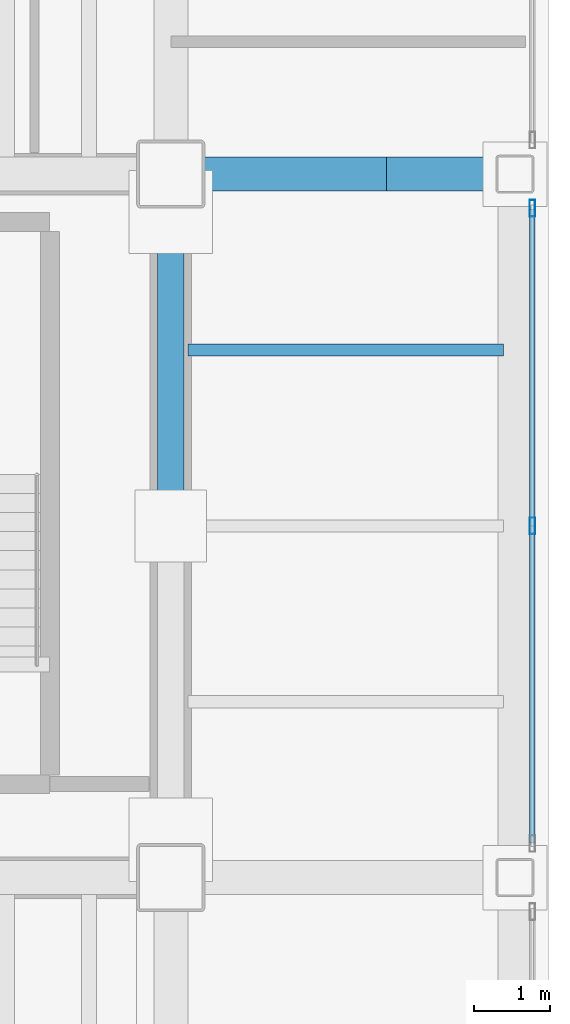
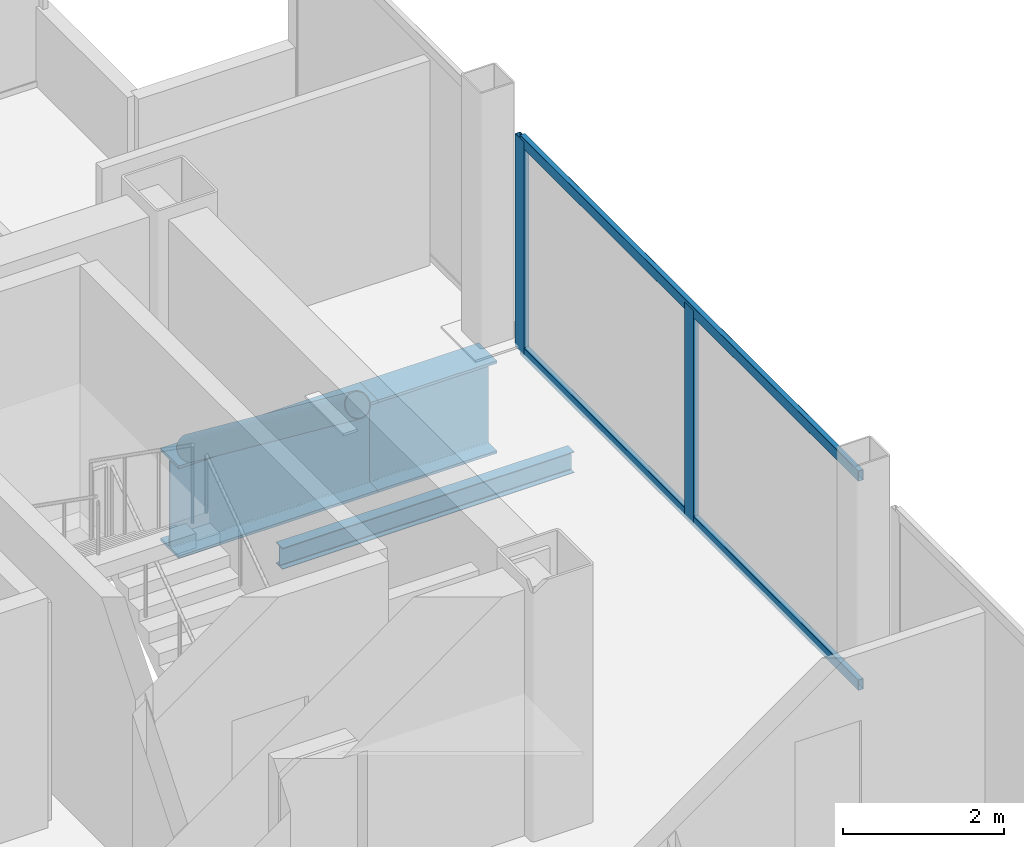
# One storey, part 18 of 24: 5 members, 3 beams, 1 element without a shape of its own.
"""IFC4 building model written with IfcOpenShell, lengths in metres."""

from ifc_helpers import new_model, si_unit, direction, frame, origin, origin_2d, place, context, subcontext, project, spatial, hollow_rectangle, hollow_circle, i_section, extrude, material, material_profile, profile_set, type_object, element, aggregate, save


model = new_model("IFC4")

# Units and contexts
model_context = context("Model", 3, precision=1e-05, world=origin(), true_north=direction((0.0, 1.0)))
body_context = subcontext(model_context, "Body", "Model", "MODEL_VIEW")
ifc_project = project(units=[si_unit("LENGTHUNIT", "METRE"), si_unit("AREAUNIT", "SQUARE_METRE"), si_unit("VOLUMEUNIT", "CUBIC_METRE"), si_unit("PLANEANGLEUNIT", "RADIAN"), si_unit("MASSUNIT", "GRAM", prefix="KILO")], contexts=[model_context])

# Site, building, storey
site_placement = place(None, origin())
site = spatial("IfcSite", under=ifc_project, at=site_placement, CompositionType="ELEMENT")
building_placement = place(site_placement, origin())
building = spatial("IfcBuilding", under=site, at=building_placement, Name="Noeulbin Bourse Tower", CompositionType="ELEMENT")
storey_placement = place(building_placement, frame((0.0, 0.0, 142.199951171875)))
storey = spatial("IfcBuildingStorey", under=building, at=storey_placement, Name="L35", CompositionType="ELEMENT", Elevation=142.199951171875)

# Beams
ifc_material_1 = material(Name="Steel S355", Category="steel")
ifc_material_profile_1 = material_profile(ifc_material_1, i_section(OverallWidth=0.159912109375, OverallDepth=0.320068359375, WebThickness=0.006591796875, FlangeThickness=0.010009765625, FilletRadius=0.012939453125, at=origin_2d()), Name="H-320x160x6.5x10", Category="LoadBearing")
ifc_profile_set_1 = profile_set([ifc_material_profile_1], Name="Steel S355")
beam_type_1 = type_object("IfcBeamType", Name="BM-JST-320", PredefinedType="JOIST", material=ifc_profile_set_1)
beam_1_placement = place(storey_placement, frame((44.22509765625, 35.97509765625, -0.39990234375), z_axis=(1.0, 0.0, 0.0), x_axis=(0.0, 1.0, 0.0)))
element("IfcBeam", 1, at=beam_1_placement, inside=storey, type_object=beam_type_1, Name="Wing Composite Joist L35-E78", PredefinedType="JOIST", context=body_context, shape_type="SweptSolid", body=[
    extrude(i_section(OverallWidth=0.159912109375, OverallDepth=0.320068359375, WebThickness=0.006591796875, FlangeThickness=0.010009765625, FilletRadius=0.012939453125, at=origin_2d()), origin(), (0.0, 0.0, 1.0), 4.1748046875),
])
ifc_material_2 = material(Name="Steel S460", Category="steel")
ifc_material_profile_2 = material_profile(ifc_material_2, i_section(OverallWidth=0.449951171875, OverallDepth=1.39990234375, WebThickness=0.02392578125, FlangeThickness=0.0400390625, FilletRadius=0.02392578125, at=origin_2d()), Name="PG-1400x450x24x40", Category="LoadBearing")
ifc_profile_set_2 = profile_set([ifc_material_profile_2], Name="Steel S460")
beam_type_2 = type_object("IfcBeamType", Name="BM-TRF-1400", PredefinedType="USERDEFINED", material=ifc_profile_set_2)
beam_2_placement = place(storey_placement, frame((44.0, 38.300048828125, -0.93994140625), z_axis=(1.0, 0.0, 0.0), x_axis=(0.0, 1.0, 0.0)))
element("IfcBeam", 2, at=beam_2_placement, inside=storey, type_object=beam_type_2, Name="Tower Primary Girder EW L35-3.5", ObjectType="GIRDER", PredefinedType="USERDEFINED", context=body_context, shape_type="SweptSolid", body=[
    extrude(i_section(OverallWidth=0.449951171875, OverallDepth=1.39990234375, WebThickness=0.02392578125, FlangeThickness=0.0400390625, FilletRadius=0.02392578125, at=origin_2d()), origin(), (0.0, 0.0, 1.0), 2.85009765625),
])
beam_3_placement = place(storey_placement, frame((46.85009765625, 38.300048828125, -0.93994140625), z_axis=(1.0, 0.0, 0.0), x_axis=(0.0, 1.0, 0.0)))
element("IfcBeam", 3, at=beam_3_placement, inside=storey, type_object=beam_type_2, Name="Tower Primary Girder EW L35-3.6", ObjectType="GIRDER", PredefinedType="USERDEFINED", context=body_context, shape_type="SweptSolid", body=[
    extrude(i_section(OverallWidth=0.449951171875, OverallDepth=1.39990234375, WebThickness=0.02392578125, FlangeThickness=0.0400390625, FilletRadius=0.02392578125, at=origin_2d()), origin(), (0.0, 0.0, 1.0), 1.699951171875),
])

# Curtain wall, members
ifc_material_3 = material(Name="Dark Tinted Triple Glazing", Category="glass")
curtain_wall_type = type_object("IfcCurtainWallType", Name="CW-SYS-3", PredefinedType="NOTDEFINED", material=ifc_material_3)
curtain_wall_placement = place(storey_placement, origin())
curtain_wall = element("IfcCurtainWall", 4, at=curtain_wall_placement, inside=storey, type_object=curtain_wall_type, Name="Unitised Curtain Wall CW-L35-E-S2", PredefinedType="NOTDEFINED")
ifc_material_4 = material(Name="Anodised Aluminium 6063-T6", Category="aluminium")
ifc_material_profile_3 = material_profile(ifc_material_4, hollow_rectangle(XDim=0.074951171875, YDim=0.219970703125, WallThickness=0.0048828125, InnerFilletRadius=0.00244140625, OuterFilletRadius=0.0048828125, at=origin_2d()), Name="ALU-MULL-75x220x5", Category="LoadBearing")
ifc_profile_set_3 = profile_set([ifc_material_profile_3], Name="Anodised Aluminium 6063-T6")
member_type_1 = type_object("IfcMemberType", Name="CW-SYS-3-MUL", PredefinedType="MULLION", material=ifc_profile_set_3)
member_1_placement = place(storey_placement, frame((48.780029296875, 33.64990234375, -0.02001953125), z_axis=(0.0, 0.0, 1.0), x_axis=(1.0, 0.0, 0.0)))
member_1 = element("IfcMember", 5, at=member_1_placement, type_object=member_type_1, Name="Curtain Wall Mullion CW-L35-E-S2-M01", PredefinedType="MULLION", context=body_context, shape_type="SweptSolid", body=[
    extrude(hollow_rectangle(XDim=0.074951171875, YDim=0.219970703125, WallThickness=0.0048828125, InnerFilletRadius=0.00244140625, OuterFilletRadius=0.0048828125, at=origin_2d()), origin(), (0.0, 0.0, 1.0), 3.219970703125),
])
member_2_placement = place(storey_placement, frame((48.780029296875, 37.85009765625, -0.02001953125), z_axis=(0.0, 0.0, 1.0), x_axis=(1.0, 0.0, 0.0)))
member_2 = element("IfcMember", 6, at=member_2_placement, type_object=member_type_1, Name="Curtain Wall Mullion CW-L35-E-S2-M02", PredefinedType="MULLION", context=body_context, shape_type="SweptSolid", body=[
    extrude(hollow_rectangle(XDim=0.074951171875, YDim=0.219970703125, WallThickness=0.0048828125, InnerFilletRadius=0.00244140625, OuterFilletRadius=0.0048828125, at=origin_2d()), origin(), (0.0, 0.0, 1.0), 3.219970703125),
])
ifc_material_profile_4 = material_profile(ifc_material_4, hollow_rectangle(XDim=0.074951171875, YDim=0.159912109375, WallThickness=0.0048828125, InnerFilletRadius=0.00244140625, OuterFilletRadius=0.0048828125, at=origin_2d()), Name="ALU-TRAN-75x160x5", Category="LoadBearing")
ifc_profile_set_4 = profile_set([ifc_material_profile_4], Name="Anodised Aluminium 6063-T6")
member_type_2 = type_object("IfcMemberType", Name="CW-SYS-3-TRN", PredefinedType="USERDEFINED", material=ifc_profile_set_4)
member_3_placement = place(storey_placement, frame((48.780029296875, 29.4599609375, 0.010009765625), z_axis=(0.0, 1.0, 0.0), x_axis=(-1.0, 0.0, 0.0)))
member_3 = element("IfcMember", 7, at=member_3_placement, type_object=member_type_2, Name="Curtain Wall Transom CW-L35-E-S2-T00", ObjectType="TRANSOM", PredefinedType="USERDEFINED", context=body_context, shape_type="SweptSolid", body=[
    extrude(hollow_rectangle(XDim=0.074951171875, YDim=0.159912109375, WallThickness=0.0048828125, InnerFilletRadius=0.00244140625, OuterFilletRadius=0.0048828125, at=origin_2d()), origin(), (0.0, 0.0, 1.0), 8.380126953125),
])
member_4_placement = place(storey_placement, frame((48.780029296875, 29.4599609375, 3.170166015625), z_axis=(0.0, 1.0, 0.0), x_axis=(-1.0, 0.0, 0.0)))
member_4 = element("IfcMember", 8, at=member_4_placement, type_object=member_type_2, Name="Curtain Wall Transom CW-L35-E-S2-T01", ObjectType="TRANSOM", PredefinedType="USERDEFINED", context=body_context, shape_type="SweptSolid", body=[
    extrude(hollow_rectangle(XDim=0.074951171875, YDim=0.159912109375, WallThickness=0.0048828125, InnerFilletRadius=0.00244140625, OuterFilletRadius=0.0048828125, at=origin_2d()), origin(), (0.0, 0.0, 1.0), 8.380126953125),
])
aggregate(curtain_wall, [member_1, member_2, member_3, member_4])

# Member
ifc_material_profile_5 = material_profile(ifc_material_1, hollow_circle(Radius=0.177734375, WallThickness=0.0126953125, at=origin_2d()), Name="CHS-355.6x12.7", Category="LoadBearing")
ifc_profile_set_5 = profile_set([ifc_material_profile_5], Name="Steel S355")
member_type_3 = type_object("IfcMemberType", Name="MEM-EXO-356", PredefinedType="BRACE", material=ifc_profile_set_5)
member_5_placement = place(storey_placement, frame((44.0, 33.64990234375, 3.3701171875), z_axis=(0.0, 0.794678837667, -0.607030102189), x_axis=(-1.0, 0.0, 0.0)))
element("IfcMember", 9, at=member_5_placement, inside=storey, type_object=member_type_3, Name="Core Flank Chevron Brace XT-L35-E2", PredefinedType="BRACE", context=body_context, shape_type="SweptSolid", body=[
    extrude(hollow_circle(Radius=0.177734375, WallThickness=0.0126953125, at=origin_2d()), origin(), (0.0, 0.0, 1.0), 5.222412109375),
])

save(model, "model.ifc")
